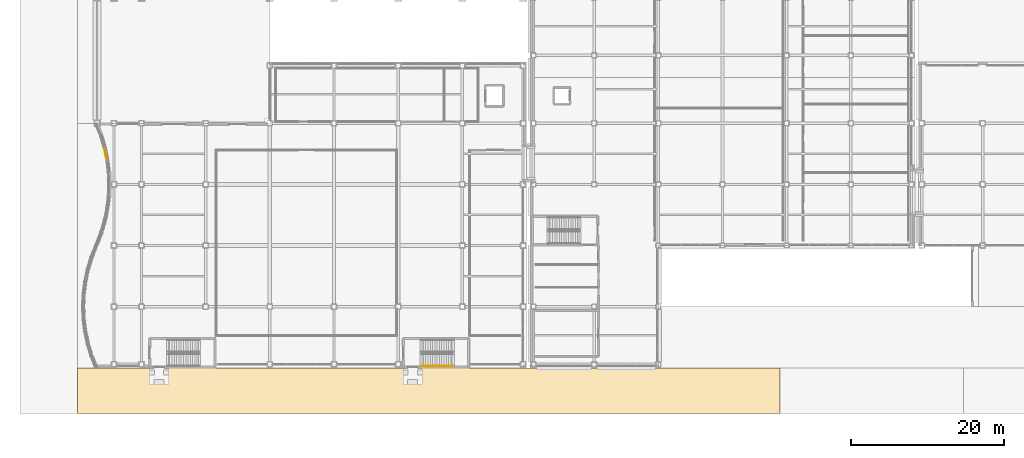
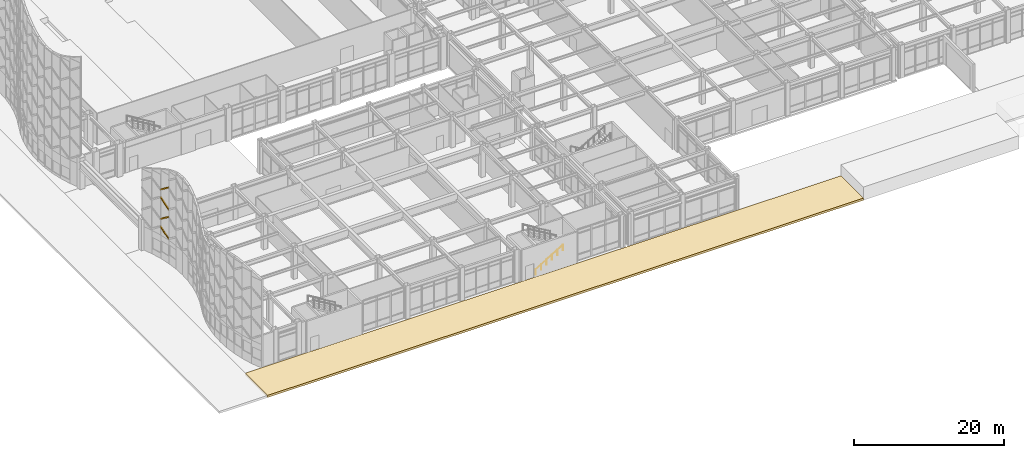
# One storey, part 142 of 165: 5 coverings, 1 railing.
"""IFC4 building model written with IfcOpenShell, lengths in metres."""

from ifc_helpers import new_model, si_unit, direction, frame, origin, origin_2d, place, context, subcontext, project, spatial, polyline, circle, outline, extrude, material, layer, layer_set, type_object, element, save


model = new_model("IFC4")

# Units and contexts
model_context = context("Model", 3, precision=1e-05, world=origin(), true_north=direction((0.0, 1.0)))
body_context = subcontext(model_context, "Body", "Model", "MODEL_VIEW")
ifc_project = project(units=[si_unit("LENGTHUNIT", "METRE"), si_unit("AREAUNIT", "SQUARE_METRE"), si_unit("VOLUMEUNIT", "CUBIC_METRE"), si_unit("PLANEANGLEUNIT", "RADIAN"), si_unit("MASSUNIT", "GRAM", prefix="KILO")], contexts=[model_context])

# Site, building, storey
site_placement = place(None, origin())
site = spatial("IfcSite", under=ifc_project, at=site_placement, CompositionType="ELEMENT")
building_placement = place(site_placement, origin())
building = spatial("IfcBuilding", under=site, at=building_placement, Name="Kazehara Bluff Congress Hotel", CompositionType="ELEMENT")
storey_placement = place(building_placement, origin())
storey = spatial("IfcBuildingStorey", under=building, at=storey_placement, Name="L00", CompositionType="ELEMENT", Elevation=0.0)

# Coverings
ifc_material_1 = material(Name="Basalt stone-grey chevron ceramic tile", Category="masonry")
ifc_layer_1 = layer(ifc_material_1, 0.1201171875)
ifc_layer_set_1 = layer_set([ifc_layer_1], Name="Basalt stone-grey chevron ceramic tile")
covering_type_1 = type_object("IfcCoveringType", Name="TP-CHV-RIB", PredefinedType="CLADDING", material=ifc_layer_set_1)
covering_1_placement = place(storey_placement, frame((3.8798828125, 27.1650390625, 4.0), z_axis=(0.0, 0.0, 1.0), x_axis=(-0.204926381559, 0.978777389472, 0.0)))
element("IfcCovering", 1, at=covering_1_placement, inside=storey, type_object=covering_type_1, Name="Chevron stone-grey tile rib WR-V2-18-1", PredefinedType="CLADDING", context=body_context, shape_type="SweptSolid", body=[
    extrude(outline(polyline([(0.0400390625, 0.0), (1.594970703125, 1.1201171875), (1.594970703125, 1.360107421875), (0.0400390625, 0.239990234375), (0.0400390625, 0.0)])), frame((0.0, 0.06005859375, 0.0), z_axis=(0.0, -1.0, 0.0), x_axis=(1.0, 0.0, 0.0)), (0.0, 0.0, 1.0), 0.1201171875),
])
covering_2_placement = place(storey_placement, frame((3.8798828125, 27.1650390625, 6.39990234375), z_axis=(0.0, 0.0, 1.0), x_axis=(-0.204926381559, 0.978777389472, 0.0)))
element("IfcCovering", 2, at=covering_2_placement, inside=storey, type_object=covering_type_1, Name="Chevron stone-grey tile rib WR-V2-18-2", PredefinedType="CLADDING", context=body_context, shape_type="SweptSolid", body=[
    extrude(outline(polyline([(0.0400390625, 1.1201171875), (1.594970703125, 0.0), (1.594970703125, 0.239990234375), (0.0400390625, 1.360107421875), (0.0400390625, 1.1201171875)])), frame((0.0, 0.06005859375, 0.0), z_axis=(0.0, -1.0, 0.0), x_axis=(1.0, 0.0, 0.0)), (0.0, 0.0, 1.0), 0.1201171875),
])
covering_3_placement = place(storey_placement, frame((3.8798828125, 27.1650390625, 8.800048828125), z_axis=(0.0, 0.0, 1.0), x_axis=(-0.204926381559, 0.978777389472, 0.0)))
element("IfcCovering", 3, at=covering_3_placement, inside=storey, type_object=covering_type_1, Name="Chevron stone-grey tile rib WR-V2-18-3", PredefinedType="CLADDING", context=body_context, shape_type="SweptSolid", body=[
    extrude(outline(polyline([(0.0400390625, 0.0), (1.594970703125, 1.119873046875), (1.594970703125, 1.35986328125), (0.0400390625, 0.239990234375), (0.0400390625, 0.0)])), frame((0.0, 0.06005859375, 0.0), z_axis=(0.0, -1.0, 0.0), x_axis=(1.0, 0.0, 0.0)), (0.0, 0.0, 1.0), 0.1201171875),
])
covering_4_placement = place(storey_placement, frame((3.8798828125, 27.1650390625, 11.199951171875), z_axis=(0.0, 0.0, 1.0), x_axis=(-0.204926381559, 0.978777389472, 0.0)))
element("IfcCovering", 4, at=covering_4_placement, inside=storey, type_object=covering_type_1, Name="Chevron stone-grey tile rib WR-V2-18-4", PredefinedType="CLADDING", context=body_context, shape_type="SweptSolid", body=[
    extrude(outline(polyline([(0.0400390625, 1.1201171875), (1.594970703125, 0.0), (1.594970703125, 0.239990234375), (0.0400390625, 1.360107421875), (0.0400390625, 1.1201171875)])), frame((0.0, 0.06005859375, 0.0), z_axis=(0.0, -1.0, 0.0), x_axis=(1.0, 0.0, 0.0)), (0.0, 0.0, 1.0), 0.1201171875),
])

# Railing
ifc_material_2 = material(Name="Brushed stainless steel", Category="steel")
railing_type = type_object("IfcRailingType", Name="TP-HR-INT", PredefinedType="HANDRAIL", material=ifc_material_2)
railing_placement = place(storey_placement, frame((45.0, 0.25, 0.179931640625)))
element("IfcRailing", 5, at=railing_placement, inside=storey, type_object=railing_type, Name="L00 ST-05 stair handrail 1", PredefinedType="HANDRAIL", context=body_context, shape_type="SweptSolid", body=[
    extrude(circle(Radius=0.02392578125, at=origin_2d()), frame((0.0, 0.0, 0.8759765625), z_axis=(0.857488527567, 0.0, 0.514503085598), x_axis=(0.0, 1.0, 0.0)), (0.0, 0.0, 1.0), 4.89794921875),
    extrude(circle(Radius=0.02099609375, at=origin_2d()), origin(), (0.0, 0.0, 1.0), 0.851806640625),
    extrude(circle(Radius=0.02099609375, at=origin_2d()), frame((0.840087890625, 0.0, 0.50390625)), (0.0, 0.0, 1.0), 0.851806640625),
    extrude(circle(Radius=0.02099609375, at=origin_2d()), frame((1.679931640625, 0.0, 1.008056640625)), (0.0, 0.0, 1.0), 0.851806640625),
    extrude(circle(Radius=0.02099609375, at=origin_2d()), frame((2.52001953125, 0.0, 1.511962890625)), (0.0, 0.0, 1.0), 0.851806640625),
    extrude(circle(Radius=0.02099609375, at=origin_2d()), frame((3.35986328125, 0.0, 2.01611328125)), (0.0, 0.0, 1.0), 0.851806640625),
    extrude(circle(Radius=0.02099609375, at=origin_2d()), frame((4.199951171875, 0.0, 2.52001953125)), (0.0, 0.0, 1.0), 0.851806640625),
])

# Covering
ifc_material_3 = material(Name="Granite stone site paving", Category="masonry")
ifc_layer_2 = layer(ifc_material_3, 0.35009765625)
ifc_layer_set_2 = layer_set([ifc_layer_2], Name="Granite stone site paving")
covering_type_2 = type_object("IfcCoveringType", Name="TP-SITE-PAV", PredefinedType="FLOORING", material=ifc_layer_set_2)
covering_5_placement = place(storey_placement, frame((0.0, 0.0, -0.35009765625)))
element("IfcCovering", 6, at=covering_5_placement, inside=storey, type_object=covering_type_2, Name="Osaka bluff granite site terrace PAV-SOUTH-LOW", PredefinedType="FLOORING", context=body_context, shape_type="SweptSolid", body=[
    extrude(outline(polyline([(0.0, -6.0), (92.0, -6.0), (92.0, 0.0), (0.0, 0.0), (0.0, -6.0)])), origin(), (0.0, 0.0, 1.0), 0.35009765625),
])

save(model, "model.ifc")
